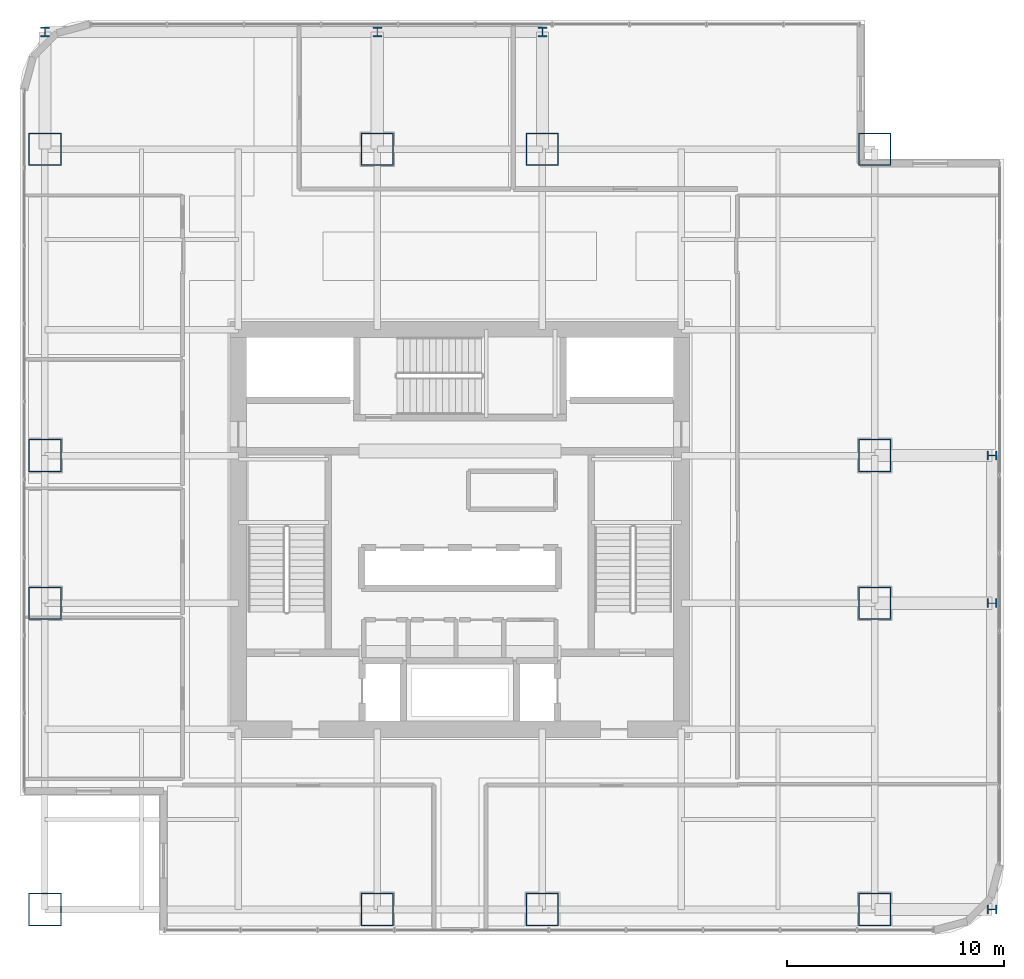
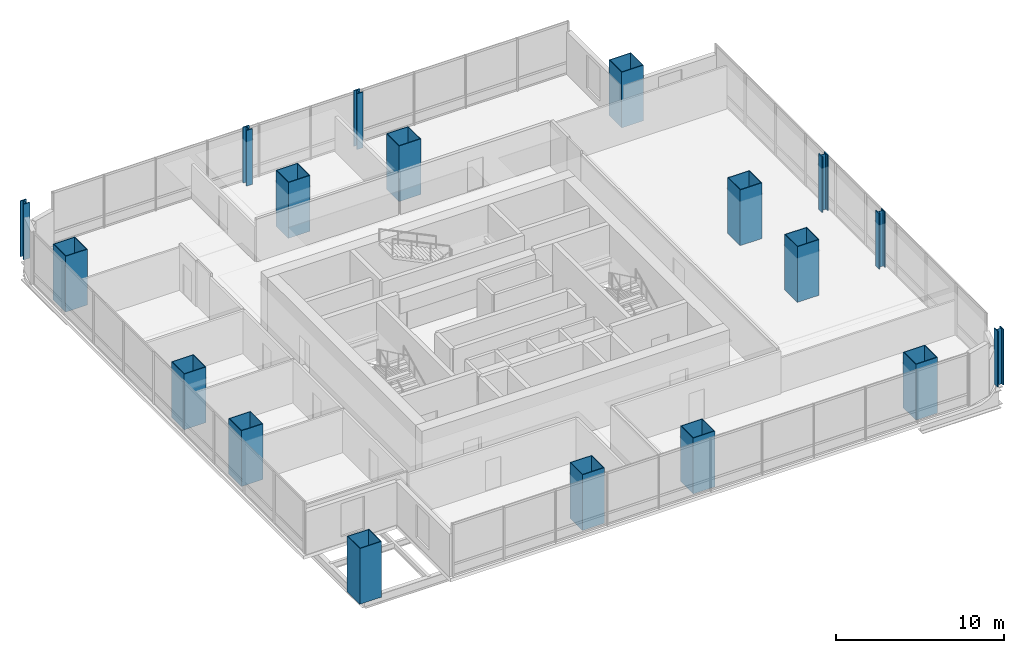
# One storey, part 1 of 34: 18 columns.
"""IFC4 building model written with IfcOpenShell, lengths in metres."""

import ifcopenshell
import ifcopenshell.guid

model = None  # the IFC model being written
_history = None  # IfcOwnerHistory: only IFC2X3 demands one
_inside = {}  # id of a spatial element -> (the spatial element, [elements in it])
_under = {}  # id of a project, library or spatial element -> (it, [spatial elements below it])
_declared = {}  # id of a project -> (the project, [libraries it declares])
_typed = {}  # id of a type object -> (the type object, [elements of that type])
_made_of = {}  # id of a material, layer set ... -> (it, [elements and type objects made of it])


def new_model(schema):
    """Start an empty IFC model of exactly this schema.

    Asked for "IFC4X3", IfcOpenShell would pick the latest addendum, in which some entities
    have other attributes; the version numbers below select the first issue.
    IFC2X3 requires an IfcOwnerHistory on every rooted entity: one is made here for all.
    """
    global model, _history
    if schema == "IFC4X3":
        model = ifcopenshell.file(schema_version=(4, 3, 0, 0))
    else:
        model = ifcopenshell.file(schema=schema)
    _inside.clear()
    _under.clear()
    _declared.clear()
    _typed.clear()
    _made_of.clear()
    _history = None
    if model.schema == "IFC2X3":
        org = make("IfcOrganization", Name="unknown")
        user = make(
            "IfcPersonAndOrganization",
            ThePerson=make("IfcPerson", FamilyName="unknown"),
            TheOrganization=org,
        )
        app = make(
            "IfcApplication",
            ApplicationDeveloper=org,
            Version="unknown",
            ApplicationFullName="unknown",
            ApplicationIdentifier="unknown",
        )
        _history = make(
            "IfcOwnerHistory",
            OwningUser=user,
            OwningApplication=app,
            ChangeAction="ADDED",
            CreationDate=0,
        )
    return model


def make(cls, **values):
    """One entity of the class cls with the attributes given. An attribute that is None is left unset."""
    return model.create_entity(
        cls, **{name: value for name, value in values.items() if value is not None}
    )


def rooted(cls, **values):
    """An entity with a GlobalId (a new one), such as an element, a storey or a relation."""
    return make(cls, GlobalId=ifcopenshell.guid.new(), OwnerHistory=_history, **values)


def si_unit(unit_type, name, prefix=None):
    """IfcSIUnit, for example si_unit("LENGTHUNIT", "METRE", prefix="MILLI")."""
    return make("IfcSIUnit", UnitType=unit_type, Prefix=prefix, Name=name)


def assignment(units):
    """IfcUnitAssignment: the units of a project."""
    return None if units is None else make("IfcUnitAssignment", Units=units)


def point(xyz):
    """IfcCartesianPoint."""
    return None if xyz is None else make("IfcCartesianPoint", Coordinates=xyz)


def direction(xyz):
    """IfcDirection."""
    return None if xyz is None else make("IfcDirection", DirectionRatios=xyz)


def frame(location, z_axis=None, x_axis=None):
    """IfcAxis2Placement3D, a coordinate frame: its origin and axes. An axis left out is left unset."""
    return make(
        "IfcAxis2Placement3D",
        Location=point(location),
        Axis=direction(z_axis),
        RefDirection=direction(x_axis),
    )


def frame_2d(location, x_axis=None):
    """IfcAxis2Placement2D, a coordinate frame in the plane: its origin and x axis."""
    return make(
        "IfcAxis2Placement2D", Location=point(location), RefDirection=direction(x_axis)
    )


def origin():
    """The frame at (0, 0, 0) with its axes left unset."""
    return frame((0.0, 0.0, 0.0))


def origin_2d():
    """The frame at (0, 0) in the plane with its x axis left unset."""
    return frame_2d((0.0, 0.0))


def place(relative_to, where):
    """IfcLocalPlacement: puts the frame where relative to a parent placement (None: the world)."""
    return make(
        "IfcLocalPlacement", PlacementRelTo=relative_to, RelativePlacement=where
    )


def context(
    kind, dimensions, precision=None, world=None, true_north=None, identifier=None
):
    """IfcGeometricRepresentationContext, for example the 3D "Model" context."""
    return make(
        "IfcGeometricRepresentationContext",
        ContextIdentifier=identifier,
        ContextType=kind,
        CoordinateSpaceDimension=dimensions,
        Precision=precision,
        WorldCoordinateSystem=world,
        TrueNorth=true_north,
    )


def subcontext(parent, identifier, kind, view, scale=None):
    """IfcGeometricRepresentationSubContext, for example "Body" below "Model"."""
    return make(
        "IfcGeometricRepresentationSubContext",
        ContextIdentifier=identifier,
        ContextType=kind,
        ParentContext=parent,
        TargetScale=scale,
        TargetView=view,
    )


def project(units=None, contexts=None):
    """IfcProject with its units and contexts."""
    return rooted(
        "IfcProject",
        Name="project",
        RepresentationContexts=contexts,
        UnitsInContext=assignment(units),
    )


def spatial(cls, under=None, at=None, **own):
    """A site, building, storey or space (cls), placed at a placement, below another one or the project."""
    s = rooted(cls, ObjectPlacement=at, **own)
    if under is not None:
        _under.setdefault(under.id(), (under, []))[1].append(s)
    return s


def profile(cls, at=None, kind="AREA", **sizes):
    """A parametric profile (cls). Its sizes go by their IFC names, for example OverallWidth=200.0."""
    return make(cls, ProfileType=kind, Position=at, **sizes)


def hollow_rectangle(**sizes):
    """IfcRectangleHollowProfileDef."""
    return profile("IfcRectangleHollowProfileDef", **sizes)


def i_section(**sizes):
    """IfcIShapeProfileDef."""
    return profile("IfcIShapeProfileDef", **sizes)


def extrude(swept, where, along, depth):
    """IfcExtrudedAreaSolid: the profile swept, set in the frame where, extruded along a direction by depth."""
    return make(
        "IfcExtrudedAreaSolid",
        SweptArea=swept,
        Position=where,
        ExtrudedDirection=direction(along),
        Depth=depth,
    )


def shape(context_of_items, identifier, shape_type, items):
    """IfcShapeRepresentation: the items that make up one representation, for example the "Body"."""
    return make(
        "IfcShapeRepresentation",
        ContextOfItems=context_of_items,
        RepresentationIdentifier=identifier,
        RepresentationType=shape_type,
        Items=items,
    )


def material(Name=None, Category=None):
    """IfcMaterial."""
    return make("IfcMaterial", Name=Name, Category=Category)


def material_profile(
    of_material, cross_section, Name=None, Category=None, Priority=None
):
    """IfcMaterialProfile: a cross section and its material."""
    return make(
        "IfcMaterialProfile",
        Name=Name,
        Material=of_material,
        Profile=cross_section,
        Priority=Priority,
        Category=Category,
    )


def profile_set(profiles, Name=None, composite=None):
    """IfcMaterialProfileSet."""
    return make(
        "IfcMaterialProfileSet",
        Name=Name,
        MaterialProfiles=profiles,
        CompositeProfile=composite,
    )


def made_of(thing, what):
    """Note that an element or type object is made of a material, layer set ...; save() writes the relation."""
    if what is not None:
        _made_of.setdefault(what.id(), (what, []))[1].append(thing)
    return thing


def type_object(cls, material=None, **own):
    """A type object (cls), such as IfcWallType, which elements share."""
    return made_of(rooted(cls, **own), material)


def element(
    cls,
    number,
    at=None,
    inside=None,
    cuts=None,
    type_object=None,
    material=None,
    context=None,
    identifier="Body",
    shape_type=None,
    held_by="IfcProductDefinitionShape",
    body=None,
    shapes=None,
    **own,
):
    """One element of the class cls, such as IfcWall. Its Tag is "e" and its number.

    at: its placement. inside: the storey or other place that contains it. cuts: it is an
    opening in that element (IfcRelVoidsElement). A single representation is given by context,
    identifier, shape_type and body (its items); several are given by shapes. held_by: the class
    of the entity that holds the representations. save() writes the other relations.
    """
    e = rooted(cls, Tag="e%d" % number, ObjectPlacement=at, **own)
    if body is not None:
        shapes = [shape(context, identifier, shape_type, body)]
    if shapes is not None:
        e.Representation = make(held_by, Representations=shapes)
    if inside is not None:
        _inside.setdefault(inside.id(), (inside, []))[1].append(e)
    if cuts is not None:
        rooted(
            "IfcRelVoidsElement", RelatingBuildingElement=cuts, RelatedOpeningElement=e
        )
    if type_object is not None:
        _typed.setdefault(type_object.id(), (type_object, []))[1].append(e)
    return made_of(e, material)


def aggregate(whole, parts):
    """IfcRelAggregates: a whole, such as a stair, and the parts it consists of."""
    return rooted("IfcRelAggregates", RelatingObject=whole, RelatedObjects=parts)


def save(model, path):
    """Write the relations noted so far, then the file.

    IfcRelAggregates (storeys below a building ...), IfcRelContainedInSpatialStructure (elements
    in a storey), IfcRelDefinesByType, IfcRelAssociatesMaterial and IfcRelDeclares: one each for
    every whole, place, type object, material and project.
    """
    for whole, parts in _under.values():
        aggregate(whole, parts)
    for where, things in _inside.values():
        rooted(
            "IfcRelContainedInSpatialStructure",
            RelatedElements=things,
            RelatingStructure=where,
        )
    for kind, things in _typed.values():
        rooted("IfcRelDefinesByType", RelatedObjects=things, RelatingType=kind)
    for what, things in _made_of.values():
        rooted("IfcRelAssociatesMaterial", RelatedObjects=things, RelatingMaterial=what)
    for by, libraries in _declared.values():
        rooted("IfcRelDeclares", RelatingContext=by, RelatedDefinitions=libraries)
    model.write(path)


model = new_model("IFC4")

# Units and contexts
model_context = context("Model", 3, precision=1e-05, world=origin(), true_north=direction((0.0, 1.0)))
body_context = subcontext(model_context, "Body", "Model", "MODEL_VIEW")
ifc_project = project(units=[si_unit("LENGTHUNIT", "METRE"), si_unit("AREAUNIT", "SQUARE_METRE"), si_unit("VOLUMEUNIT", "CUBIC_METRE"), si_unit("PLANEANGLEUNIT", "RADIAN"), si_unit("MASSUNIT", "GRAM", prefix="KILO")], contexts=[model_context])

# Site, building, storey
site_placement = place(None, origin())
site = spatial("IfcSite", under=ifc_project, at=site_placement, CompositionType="ELEMENT")
building_placement = place(site_placement, origin())
building = spatial("IfcBuilding", under=site, at=building_placement, Name="Punatoya Terracotta Tower", CompositionType="ELEMENT")
storey_placement = place(building_placement, frame((0.0, 0.0, 117.300048828125)))
storey = spatial("IfcBuildingStorey", under=building, at=storey_placement, Name="L27", CompositionType="ELEMENT", Elevation=117.300048828125)

# Columns
ifc_material = material(Name="Steel S460", Category="steel")
ifc_material_profile_1 = material_profile(ifc_material, i_section(OverallWidth=0.416015625, OverallDepth=0.446044921875, WebThickness=0.0390625, FlangeThickness=0.06201171875, FilletRadius=0.01806640625, at=origin_2d()))
ifc_profile_set_1 = profile_set([ifc_material_profile_1], Name="Steel S460")
column_type_1 = type_object("IfcColumnType", Name="COL-EX-M1", PredefinedType="COLUMN", material=ifc_profile_set_1)
for number, where, z_axis, x_axis, name in (
    (1, (-19.10009765625, 22.89990234375, 0.0), (0.0, 0.0, 1.0), (1.0, 0.0, 0.0), "L27 Exoskeleton Perimeter Column N1"),
    (2, (-3.800048828125, 22.89990234375, 0.0), (0.0, 0.0, 1.0), (1.0, 0.0, 0.0), "L27 Exoskeleton Perimeter Column N2"),
    (3, (3.800048828125, 22.89990234375, 0.0), (0.0, 0.0, 1.0), (1.0, 0.0, 0.0), "L27 Exoskeleton Perimeter Column N3"),
    (4, (24.5, -17.5, 0.0), (0.0, 0.0, 1.0), (0.0, 1.0, 0.0), "L27 Exoskeleton Perimeter Column E1"),
    (5, (24.5, -3.39990234375, 0.0), (0.0, 0.0, 1.0), (0.0, 1.0, 0.0), "L27 Exoskeleton Perimeter Column E2"),
    (6, (24.5, 3.39990234375, 0.0), (0.0, 0.0, 1.0), (0.0, 1.0, 0.0), "L27 Exoskeleton Perimeter Column E3"),
):
    element("IfcColumn", number, at=place(storey_placement, frame(where, z_axis=z_axis, x_axis=x_axis)), inside=storey, type_object=column_type_1, Name=name, PredefinedType="COLUMN", context=body_context, shape_type="SweptSolid", body=[
        extrude(i_section(OverallWidth=0.416015625, OverallDepth=0.446044921875, WebThickness=0.0390625, FlangeThickness=0.06201171875, FilletRadius=0.01806640625, at=origin_2d()), origin(), (0.0, 0.0, 1.0), 4.0478515625),
    ])
ifc_material_profile_2 = material_profile(ifc_material, hollow_rectangle(XDim=1.5, YDim=1.5, WallThickness=0.044921875, at=origin_2d()))
ifc_profile_set_2 = profile_set([ifc_material_profile_2], Name="Steel S460")
column_type_2 = type_object("IfcColumnType", Name="COL-MC-Z1", PredefinedType="COLUMN", material=ifc_profile_set_2)
for number, where, z_axis, x_axis, name in (
    (7, (-19.10009765625, -17.5, 0.0), (0.0, 0.0, 1.0), (1.0, 0.0, 0.0), "L27 Composite Mega-Column MC-01 (3-B)"),
    (8, (-3.800048828125, -17.5, 0.0), (0.0, 0.0, 1.0), (1.0, 0.0, 0.0), "L27 Composite Mega-Column MC-02 (5-B)"),
    (9, (3.800048828125, -17.5, 0.0), (0.0, 0.0, 1.0), (1.0, 0.0, 0.0), "L27 Composite Mega-Column MC-03 (7-B)"),
    (10, (19.10009765625, -17.5, 0.0), (0.0, 0.0, 1.0), (1.0, 0.0, 0.0), "L27 Composite Mega-Column MC-04 (9-B)"),
    (11, (19.10009765625, -3.39990234375, 0.0), (0.0, 0.0, 1.0), (1.0, 0.0, 0.0), "L27 Composite Mega-Column MC-05 (9-D)"),
    (12, (19.10009765625, 3.39990234375, 0.0), (0.0, 0.0, 1.0), (1.0, 0.0, 0.0), "L27 Composite Mega-Column MC-06 (9-E)"),
    (13, (19.10009765625, 17.5, 0.0), (0.0, 0.0, 1.0), (1.0, 0.0, 0.0), "L27 Composite Mega-Column MC-07 (9-G)"),
    (14, (3.800048828125, 17.5, 0.0), (0.0, 0.0, 1.0), (1.0, 0.0, 0.0), "L27 Composite Mega-Column MC-08 (7-G)"),
    (15, (-3.800048828125, 17.5, 0.0), (0.0, 0.0, 1.0), (1.0, 0.0, 0.0), "L27 Composite Mega-Column MC-09 (5-G)"),
    (16, (-19.10009765625, 17.5, 0.0), (0.0, 0.0, 1.0), (1.0, 0.0, 0.0), "L27 Composite Mega-Column MC-10 (3-G)"),
    (17, (-19.10009765625, 3.39990234375, 0.0), (0.0, 0.0, 1.0), (1.0, 0.0, 0.0), "L27 Composite Mega-Column MC-11 (3-E)"),
    (18, (-19.10009765625, -3.39990234375, 0.0), (0.0, 0.0, 1.0), (1.0, 0.0, 0.0), "L27 Composite Mega-Column MC-12 (3-D)"),
):
    element("IfcColumn", number, at=place(storey_placement, frame(where, z_axis=z_axis, x_axis=x_axis)), inside=storey, type_object=column_type_2, Name=name, PredefinedType="COLUMN", context=body_context, shape_type="SweptSolid", body=[
        extrude(hollow_rectangle(XDim=1.5, YDim=1.5, WallThickness=0.044921875, at=origin_2d()), origin(), (0.0, 0.0, 1.0), 4.050048828125),
    ])

save(model, "model.ifc")
